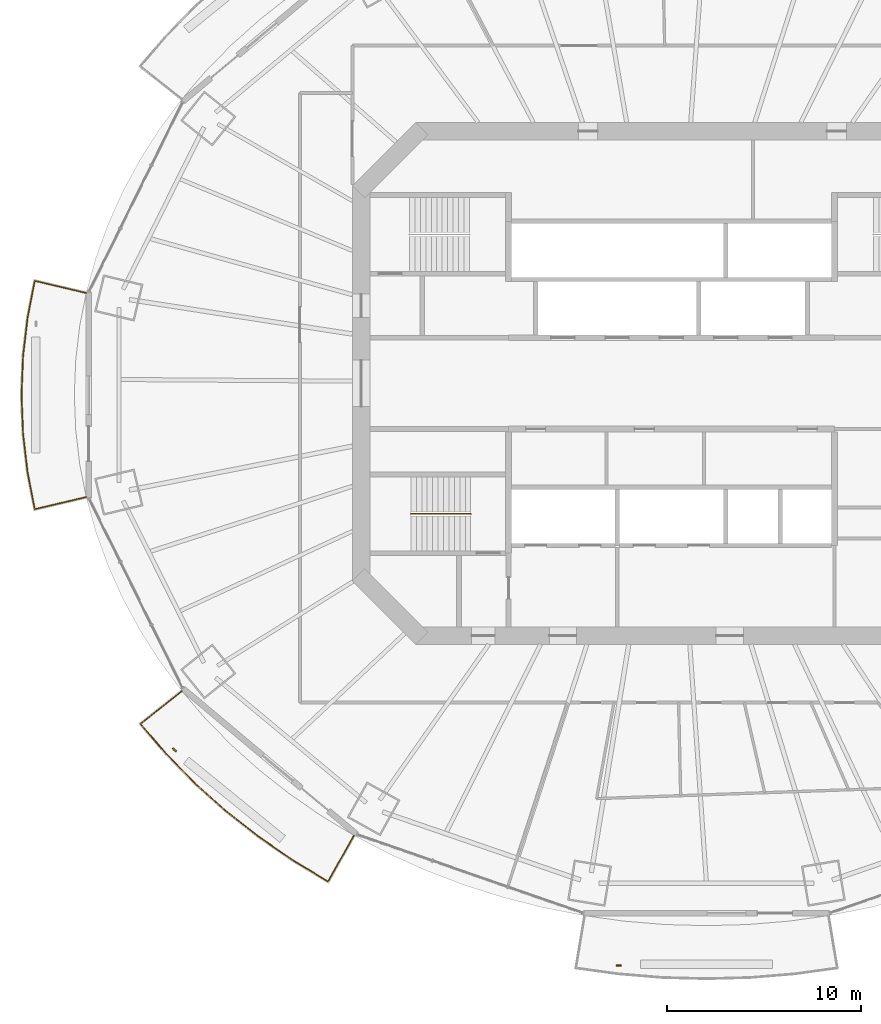
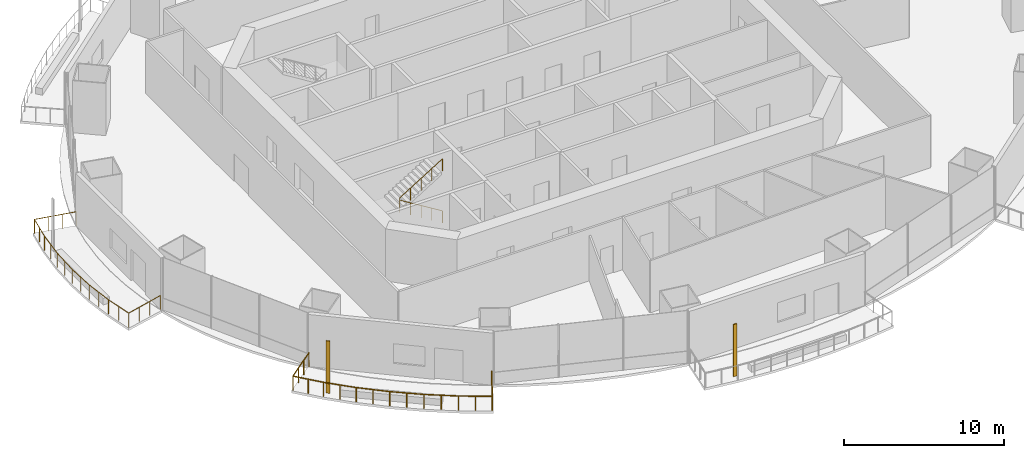
# One storey, part 15 of 20: 3 railings, 2 shading devices.
"""IFC4 building model written with IfcOpenShell, lengths in metres."""

from ifc_helpers import new_model, si_unit, direction, frame, origin, origin_2d, place, context, subcontext, project, spatial, rectangle, circle, extrude, material, material_profile, profile_set, type_object, element, save


model = new_model("IFC4")

# Units and contexts
model_context = context("Model", 3, precision=1e-05, world=origin(), true_north=direction((0.0, 1.0)))
body_context = subcontext(model_context, "Body", "Model", "MODEL_VIEW")
ifc_project = project(units=[si_unit("LENGTHUNIT", "METRE"), si_unit("AREAUNIT", "SQUARE_METRE"), si_unit("VOLUMEUNIT", "CUBIC_METRE"), si_unit("PLANEANGLEUNIT", "RADIAN"), si_unit("MASSUNIT", "GRAM", prefix="KILO")], contexts=[model_context])

# Site, building, storey
site_placement = place(None, origin())
site = spatial("IfcSite", under=ifc_project, at=site_placement, CompositionType="ELEMENT")
building_placement = place(site_placement, origin())
building = spatial("IfcBuilding", under=site, at=building_placement, Name="Marenthal Gate Tower", CompositionType="ELEMENT")
storey_placement = place(building_placement, frame((0.0, 0.0, 181.800048828125)))
storey = spatial("IfcBuildingStorey", under=building, at=storey_placement, Name="L39", CompositionType="ELEMENT", Elevation=181.800048828125)

# Railings
ifc_material_1 = material(Name="Stainless steel", Category="steel")
railing_type_1 = type_object("IfcRailingType", Name="Balcony guard 1100", PredefinedType="GUARDRAIL", material=ifc_material_1)
railing_1_placement = place(storey_placement, frame((-30.16943359375, -5.85693359375, 0.0)))
element("IfcRailing", 1, at=railing_1_placement, inside=storey, type_object=railing_type_1, Name="Balcony guard L39 bay 8", PredefinedType="GUARDRAIL", context=body_context, shape_type="SweptSolid", body=[
    extrude(circle(Radius=0.02392578125, at=origin_2d()), frame((0.0, 0.0, 1.076171875), z_axis=(-0.972991835715, -0.230369861859, -0.014717825222), x_axis=(0.230394816626, -0.97309723485, 0.0)), (0.0, 0.0, 1.0), 2.720458984375),
    extrude(circle(Radius=0.02392578125, at=origin_2d()), frame((-2.64697265625, -0.626708984375, 1.0361328125), z_axis=(-0.191367617188, 0.981518433394, 0.0), x_axis=(-0.981518433394, -0.191367617188, 0.0)), (0.0, 0.0, 1.0), 1.928955078125),
    extrude(circle(Radius=0.02392578125, at=origin_2d()), frame((-3.01611328125, 1.2666015625, 1.0361328125), z_axis=(-0.116473657371, 0.993193781263, 0.0), x_axis=(-0.993193781263, -0.116473657371, 0.0)), (0.0, 0.0, 1.0), 2.00390625),
    extrude(circle(Radius=0.02392578125, at=origin_2d()), frame((-3.24951171875, 3.2568359375, 1.0361328125), z_axis=(-0.03903273174, 0.999237932553, 0.0), x_axis=(-0.999237932553, -0.03903273174, 0.0)), (0.0, 0.0, 1.0), 2.00146484375),
    extrude(circle(Radius=0.02392578125, at=origin_2d()), frame((-3.32763671875, 5.2568359375, 1.0361328125), z_axis=(0.039027974841, 0.999238118358, 0.0), x_axis=(-0.999238118358, 0.039027974841, 0.0)), (0.0, 0.0, 1.0), 2.001708984375),
    extrude(circle(Radius=0.02392578125, at=origin_2d()), frame((-3.24951171875, 7.257080078125, 1.0361328125), z_axis=(0.116473657371, 0.993193781263, 0.0), x_axis=(-0.993193781263, 0.116473657371, 0.0)), (0.0, 0.0, 1.0), 2.00390625),
    extrude(circle(Radius=0.02392578125, at=origin_2d()), frame((-3.01611328125, 9.247314453125, 1.0361328125), z_axis=(0.191367617188, 0.981518433394, 0.0), x_axis=(-0.981518433394, 0.191367617188, 0.0)), (0.0, 0.0, 1.0), 1.928955078125),
    extrude(circle(Radius=0.02392578125, at=origin_2d()), frame((-2.64697265625, 11.140625, 1.0361328125), z_axis=(0.972991835715, -0.230369861859, 0.014717825222), x_axis=(0.230394816626, 0.97309723485, 0.0)), (0.0, 0.0, 1.0), 2.720458984375),
    extrude(circle(Radius=0.02099609375, at=origin_2d()), origin(), (0.0, 0.0, 1.0), 1.052001953125),
    extrude(circle(Radius=0.02099609375, at=origin_2d()), frame((-0.88232421875, -0.208984375, -0.013427734375)), (0.0, 0.0, 1.0), 1.052001953125),
    extrude(circle(Radius=0.02099609375, at=origin_2d()), frame((-1.7646484375, -0.417724609375, -0.026611328125)), (0.0, 0.0, 1.0), 1.052001953125),
    extrude(circle(Radius=0.02099609375, at=origin_2d()), frame((-2.64697265625, -0.626708984375, -0.0400390625)), (0.0, 0.0, 1.0), 1.052001953125),
    extrude(circle(Radius=0.02099609375, at=origin_2d()), frame((-2.83154296875, 0.31982421875, -0.0400390625)), (0.0, 0.0, 1.0), 1.052001953125),
    extrude(circle(Radius=0.02099609375, at=origin_2d()), frame((-3.01611328125, 1.2666015625, -0.0400390625)), (0.0, 0.0, 1.0), 1.052001953125),
    extrude(circle(Radius=0.02099609375, at=origin_2d()), frame((-3.1328125, 2.26171875, -0.0400390625)), (0.0, 0.0, 1.0), 1.052001953125),
    extrude(circle(Radius=0.02099609375, at=origin_2d()), frame((-3.24951171875, 3.2568359375, -0.0400390625)), (0.0, 0.0, 1.0), 1.052001953125),
    extrude(circle(Radius=0.02099609375, at=origin_2d()), frame((-3.28857421875, 4.2568359375, -0.0400390625)), (0.0, 0.0, 1.0), 1.052001953125),
    extrude(circle(Radius=0.02099609375, at=origin_2d()), frame((-3.32763671875, 5.2568359375, -0.0400390625)), (0.0, 0.0, 1.0), 1.052001953125),
    extrude(circle(Radius=0.02099609375, at=origin_2d()), frame((-3.28857421875, 6.2568359375, -0.0400390625)), (0.0, 0.0, 1.0), 1.052001953125),
    extrude(circle(Radius=0.02099609375, at=origin_2d()), frame((-3.24951171875, 7.257080078125, -0.0400390625)), (0.0, 0.0, 1.0), 1.052001953125),
    extrude(circle(Radius=0.02099609375, at=origin_2d()), frame((-3.1328125, 8.252197265625, -0.0400390625)), (0.0, 0.0, 1.0), 1.052001953125),
    extrude(circle(Radius=0.02099609375, at=origin_2d()), frame((-3.01611328125, 9.247314453125, -0.0400390625)), (0.0, 0.0, 1.0), 1.052001953125),
    extrude(circle(Radius=0.02099609375, at=origin_2d()), frame((-2.83154296875, 10.19384765625, -0.0400390625)), (0.0, 0.0, 1.0), 1.052001953125),
    extrude(circle(Radius=0.02099609375, at=origin_2d()), frame((-2.64697265625, 11.140625, -0.0400390625)), (0.0, 0.0, 1.0), 1.052001953125),
    extrude(circle(Radius=0.02099609375, at=origin_2d()), frame((-1.7646484375, 10.931640625, -0.026611328125)), (0.0, 0.0, 1.0), 1.052001953125),
    extrude(circle(Radius=0.02099609375, at=origin_2d()), frame((-0.88232421875, 10.722900390625, -0.013427734375)), (0.0, 0.0, 1.0), 1.052001953125),
    extrude(circle(Radius=0.02099609375, at=origin_2d()), frame((0.0, 10.513916015625, 0.0)), (0.0, 0.0, 1.0), 1.052001953125),
])
railing_2_placement = place(storey_placement, frame((-16.36865234375, -23.29833984375, 0.0)))
element("IfcRailing", 2, at=railing_2_placement, inside=storey, type_object=railing_type_1, Name="Balcony guard L39 bay 10", PredefinedType="GUARDRAIL", context=body_context, shape_type="SweptSolid", body=[
    extrude(circle(Radius=0.02392578125, at=origin_2d()), frame((0.0, 0.0, 1.076171875), z_axis=(-0.489411085686, -0.871928974406, -0.014719130397), x_axis=(0.872023442683, -0.489464110443, 0.0)), (0.0, 0.0, 1.0), 2.72021484375),
    extrude(circle(Radius=0.02392578125, at=origin_2d()), frame((-1.331298828125, -2.371826171875, 1.0361328125), z_axis=(-0.856264483042, 0.516537641494, 0.0), x_axis=(-0.516537641494, -0.856264483042, 0.0)), (0.0, 0.0, 1.0), 2.1083984375),
    extrude(circle(Radius=0.02392578125, at=origin_2d()), frame((-3.13671875, -1.28271484375, 1.0361328125), z_axis=(-0.823509936294, 0.567301846308, 0.0), x_axis=(-0.567301846308, -0.823509936294, 0.0)), (0.0, 0.0, 1.0), 2.170654296875),
    extrude(circle(Radius=0.02392578125, at=origin_2d()), frame((-4.92431640625, -0.05126953125, 1.0361328125), z_axis=(-0.786086084663, 0.618117033821, 0.0), x_axis=(-0.618117033821, -0.786086084663, 0.0)), (0.0, 0.0, 1.0), 2.152587890625),
    extrude(circle(Radius=0.02392578125, at=origin_2d()), frame((-6.616455078125, 1.279296875, 1.0361328125), z_axis=(-0.744714509998, 0.667383172247, 0.0), x_axis=(-0.667383172247, -0.744714509998, 0.0)), (0.0, 0.0, 1.0), 2.13427734375),
    extrude(circle(Radius=0.02392578125, at=origin_2d()), frame((-8.205810546875, 2.70361328125, 1.0361328125), z_axis=(-0.698983915283, 0.71513738972, 0.0), x_axis=(-0.71513738972, -0.698983915283, 0.0)), (0.0, 0.0, 1.0), 2.115966796875),
    extrude(circle(Radius=0.02392578125, at=origin_2d()), frame((-9.684814453125, 4.216796875, 1.0361328125), z_axis=(-0.650253316772, 0.75971746329, 0.0), x_axis=(-0.75971746329, -0.650253316772, 0.0)), (0.0, 0.0, 1.0), 2.0185546875),
    extrude(circle(Radius=0.02392578125, at=origin_2d()), frame((-10.997314453125, 5.750244140625, 1.0361328125), z_axis=(0.782619614183, 0.622326193205, 0.014718992744), x_axis=(-0.622393617256, 0.78270440474, 0.0)), (0.0, 0.0, 1.0), 2.72021484375),
    extrude(circle(Radius=0.02099609375, at=origin_2d()), origin(), (0.0, 0.0, 1.0), 1.052001953125),
    extrude(circle(Radius=0.02099609375, at=origin_2d()), frame((-0.44384765625, -0.79052734375, -0.013427734375)), (0.0, 0.0, 1.0), 1.052001953125),
    extrude(circle(Radius=0.02099609375, at=origin_2d()), frame((-0.887451171875, -1.581298828125, -0.026611328125)), (0.0, 0.0, 1.0), 1.052001953125),
    extrude(circle(Radius=0.02099609375, at=origin_2d()), frame((-1.331298828125, -2.371826171875, -0.0400390625)), (0.0, 0.0, 1.0), 1.052001953125),
    extrude(circle(Radius=0.02099609375, at=origin_2d()), frame((-2.23388671875, -1.8271484375, -0.0400390625)), (0.0, 0.0, 1.0), 1.052001953125),
    extrude(circle(Radius=0.02099609375, at=origin_2d()), frame((-3.13671875, -1.28271484375, -0.0400390625)), (0.0, 0.0, 1.0), 1.052001953125),
    extrude(circle(Radius=0.02099609375, at=origin_2d()), frame((-4.030517578125, -0.6669921875, -0.0400390625)), (0.0, 0.0, 1.0), 1.052001953125),
    extrude(circle(Radius=0.02099609375, at=origin_2d()), frame((-4.92431640625, -0.05126953125, -0.0400390625)), (0.0, 0.0, 1.0), 1.052001953125),
    extrude(circle(Radius=0.02099609375, at=origin_2d()), frame((-5.7705078125, 0.614013671875, -0.0400390625)), (0.0, 0.0, 1.0), 1.052001953125),
    extrude(circle(Radius=0.02099609375, at=origin_2d()), frame((-6.616455078125, 1.279296875, -0.0400390625)), (0.0, 0.0, 1.0), 1.052001953125),
    extrude(circle(Radius=0.02099609375, at=origin_2d()), frame((-7.4111328125, 1.991455078125, -0.0400390625)), (0.0, 0.0, 1.0), 1.052001953125),
    extrude(circle(Radius=0.02099609375, at=origin_2d()), frame((-8.205810546875, 2.70361328125, -0.0400390625)), (0.0, 0.0, 1.0), 1.052001953125),
    extrude(circle(Radius=0.02099609375, at=origin_2d()), frame((-8.9453125, 3.460205078125, -0.0400390625)), (0.0, 0.0, 1.0), 1.052001953125),
    extrude(circle(Radius=0.02099609375, at=origin_2d()), frame((-9.684814453125, 4.216796875, -0.0400390625)), (0.0, 0.0, 1.0), 1.052001953125),
    extrude(circle(Radius=0.02099609375, at=origin_2d()), frame((-10.341064453125, 4.9833984375, -0.0400390625)), (0.0, 0.0, 1.0), 1.052001953125),
    extrude(circle(Radius=0.02099609375, at=origin_2d()), frame((-10.997314453125, 5.750244140625, -0.0400390625)), (0.0, 0.0, 1.0), 1.052001953125),
    extrude(circle(Radius=0.02099609375, at=origin_2d()), frame((-10.28759765625, 6.314453125, -0.026611328125)), (0.0, 0.0, 1.0), 1.052001953125),
    extrude(circle(Radius=0.02099609375, at=origin_2d()), frame((-9.578125, 6.87890625, -0.013427734375)), (0.0, 0.0, 1.0), 1.052001953125),
    extrude(circle(Radius=0.02099609375, at=origin_2d()), frame((-8.868408203125, 7.443115234375, 0.0)), (0.0, 0.0, 1.0), 1.052001953125),
])
ifc_material_2 = material(Name="Stainless steel", Category="steel")
railing_type_2 = type_object("IfcRailingType", Name="Stair handrail", PredefinedType="HANDRAIL", material=ifc_material_2)
railing_3_placement = place(storey_placement, frame((-10.35009765625, -6.72509765625, 0.1728515625)))
element("IfcRailing", 3, at=railing_3_placement, inside=storey, type_object=railing_type_2, Name="Handrail ST2", PredefinedType="HANDRAIL", context=body_context, shape_type="SweptSolid", body=[
    extrude(circle(Radius=0.0224609375, at=origin_2d()), frame((0.0, 0.0, 0.927490234375), z_axis=(-0.850816621229, 0.0, 0.525462726595), x_axis=(0.0, -1.0, 0.0)), (0.0, 0.0, 1.0), 3.619873046875),
    extrude(circle(Radius=0.0224609375, at=origin_2d()), frame((-3.079833984375, 0.0, 2.82958984375), z_axis=(0.0, 0.0, 1.0), x_axis=(1.0, 0.0, 0.0)), (0.0, 0.0, 1.0), 0.1728515625),
    extrude(circle(Radius=0.0224609375, at=origin_2d()), frame((-3.079833984375, 0.0, 3.00244140625), z_axis=(0.850816621229, 0.0, 0.525462726595), x_axis=(0.0, 1.0, 0.0)), (0.0, 0.0, 1.0), 3.619873046875),
    extrude(circle(Radius=0.02001953125, at=origin_2d()), origin(), (0.0, 0.0, 1.0), 0.905029296875),
    extrude(circle(Radius=0.02001953125, at=origin_2d()), frame((-0.77001953125, 0.0, 0.4755859375)), (0.0, 0.0, 1.0), 0.905029296875),
    extrude(circle(Radius=0.02001953125, at=origin_2d()), frame((-1.5400390625, 0.0, 0.951171875)), (0.0, 0.0, 1.0), 0.905029296875),
    extrude(circle(Radius=0.02001953125, at=origin_2d()), frame((-2.309814453125, 0.0, 1.426513671875)), (0.0, 0.0, 1.0), 0.905029296875),
    extrude(circle(Radius=0.02001953125, at=origin_2d()), frame((-3.079833984375, 0.0, 1.902099609375)), (0.0, 0.0, 1.0), 0.905029296875),
    extrude(circle(Radius=0.02001953125, at=origin_2d()), frame((-3.079833984375, 0.0, 2.074951171875)), (0.0, 0.0, 1.0), 0.905029296875),
    extrude(circle(Radius=0.02001953125, at=origin_2d()), frame((-2.309814453125, 0.0, 2.550537109375)), (0.0, 0.0, 1.0), 0.905029296875),
    extrude(circle(Radius=0.02001953125, at=origin_2d()), frame((-1.5400390625, 0.0, 3.02587890625)), (0.0, 0.0, 1.0), 0.905029296875),
    extrude(circle(Radius=0.02001953125, at=origin_2d()), frame((-0.77001953125, 0.0, 3.50146484375)), (0.0, 0.0, 1.0), 0.905029296875),
    extrude(circle(Radius=0.02001953125, at=origin_2d()), frame((0.0, 0.0, 3.97705078125)), (0.0, 0.0, 1.0), 0.905029296875),
])

# Shading devices
ifc_material_3 = material(Name="Terracotta", Category="masonry")
ifc_material_profile = material_profile(ifc_material_3, rectangle(XDim=0.25, YDim=0.080078125, at=origin_2d()), Name="Terracotta baguette 250x80")
ifc_profile_set = profile_set([ifc_material_profile], Name="Terracotta")
shading_device_type = type_object("IfcShadingDeviceType", Name="Terracotta BAGUETTE SCREEN 250x80", PredefinedType="USERDEFINED", material=ifc_profile_set)
for number, where, z_axis, x_axis, name in (
    (4, (-25.617431640625, -18.883544921875, -0.0400390625), (0.0, 0.0, 1.0), (0.765850387542, -0.643018805247, 0.0), "Terracotta BAGUETTE L39 bay 10L"),
    (5, (-2.716552734375, -29.990966796875, -0.0400390625), (0.0, 0.0, 1.0), (1.0, 0.0, 0.0), "Terracotta BAGUETTE L39 bay 12L"),
):
    element("IfcShadingDevice", number, at=place(storey_placement, frame(where, z_axis=z_axis, x_axis=x_axis)), inside=storey, type_object=shading_device_type, Name=name, ObjectType="BAGUETTE SCREEN", PredefinedType="USERDEFINED", context=body_context, shape_type="SweptSolid", body=[
        extrude(rectangle(XDim=0.25, YDim=0.080078125, at=origin_2d()), origin(), (0.0, 0.0, 1.0), 3.969970703125),
    ])

save(model, "model.ifc")
